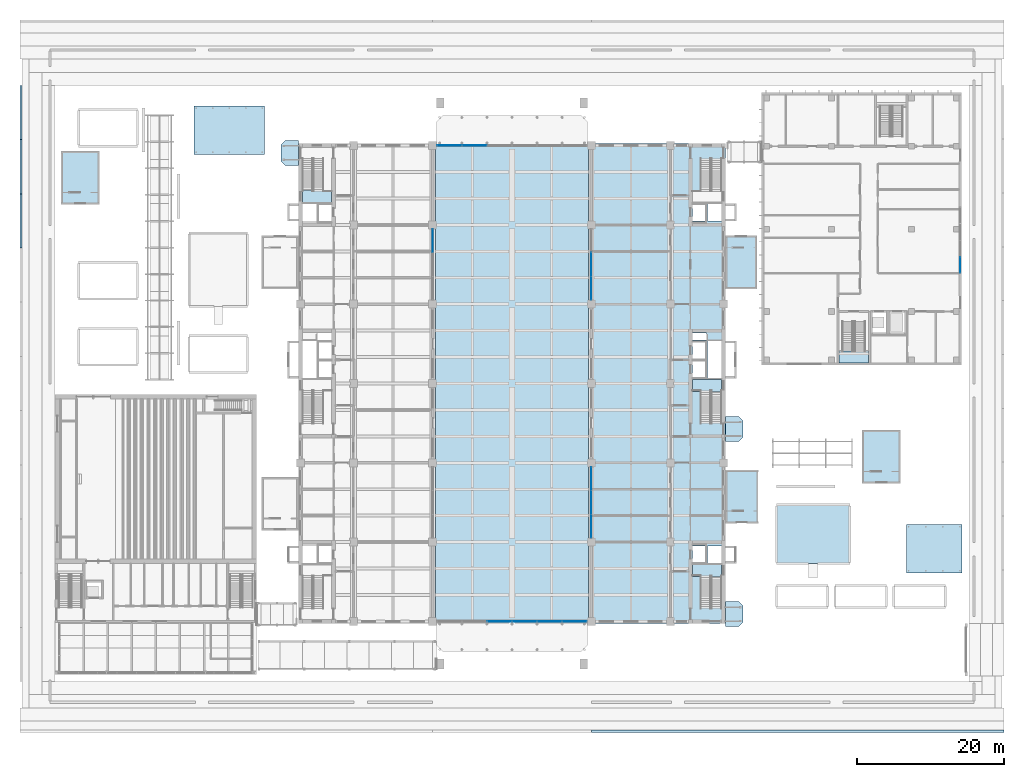
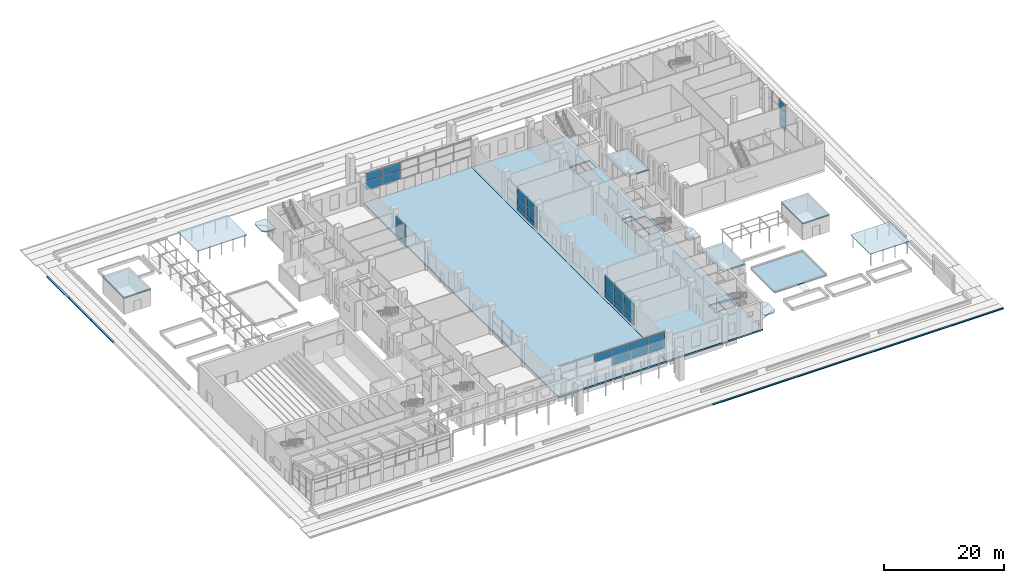
# One storey, part 43 of 71: 32 plates, 20 slabs, 10 elements without a shape of their own.
"""IFC4 building model written with IfcOpenShell, lengths in metres."""

from ifc_helpers import new_model, si_unit, direction, frame, origin, origin_2d, place, context, subcontext, project, spatial, polyline, rectangle, outline, extrude, material, layer, layer_set, type_object, element, aggregate, save


model = new_model("IFC4")

# Units and contexts
model_context = context("Model", 3, precision=1e-05, world=origin(), true_north=direction((0.0, 1.0)))
body_context = subcontext(model_context, "Body", "Model", "MODEL_VIEW")
ifc_project = project(units=[si_unit("LENGTHUNIT", "METRE"), si_unit("AREAUNIT", "SQUARE_METRE"), si_unit("VOLUMEUNIT", "CUBIC_METRE"), si_unit("PLANEANGLEUNIT", "RADIAN"), si_unit("MASSUNIT", "GRAM", prefix="KILO")], contexts=[model_context])

# Site, building, storey
site_placement = place(None, origin())
site = spatial("IfcSite", under=ifc_project, at=site_placement, CompositionType="ELEMENT")
building_placement = place(site_placement, origin())
building = spatial("IfcBuilding", under=site, at=building_placement, Name="Basin Gate Institute", CompositionType="ELEMENT")
storey_placement = place(building_placement, origin())
storey = spatial("IfcBuildingStorey", under=building, at=storey_placement, Name="L00", CompositionType="ELEMENT", Elevation=0.0)

# Curtain wall, plates
ifc_material_1 = material(Name="Aluminium and glass curtain wall", Category="aluminium")
ifc_layer_1 = layer(ifc_material_1, 0.14990234375)
ifc_layer_set_1 = layer_set([ifc_layer_1], Name="Atrium curtain wall CW81")
curtain_wall_type_1 = type_object("IfcCurtainWallType", Name="Atrium curtain wall CW81", PredefinedType="NOTDEFINED", material=ifc_layer_set_1)
curtain_wall_1_placement = place(storey_placement, origin())
curtain_wall_1 = element("IfcCurtainWall", 1, at=curtain_wall_1_placement, inside=storey, type_object=curtain_wall_type_1, material=ifc_layer_set_1, Name="Clean block viewing gallery glazing", PredefinedType="NOTDEFINED")
ifc_material_2 = material(Name="Toughened glass", Category="glass")
ifc_layer_2 = layer(ifc_material_2, 0.028076171875)
ifc_layer_set_2 = layer_set([ifc_layer_2], Name="Atrium glass panel PN81")
plate_type_1 = type_object("IfcPlateType", Name="Atrium glass panel PN81", PredefinedType="CURTAIN_PANEL", material=ifc_layer_set_2)
plate_1_placement = place(storey_placement, frame((151.050048828125, 83.639892578125, 0.06005859375), z_axis=(0.0, 0.0, 1.0), x_axis=(0.0, 1.0, 0.0)))
plate_1 = element("IfcPlate", 2, at=plate_1_placement, type_object=plate_type_1, material=ifc_layer_set_2, Name="CW81 panel 1.1", PredefinedType="CURTAIN_PANEL", context=body_context, shape_type="SweptSolid", body=[
    extrude(rectangle(XDim=2.159912109375, YDim=0.028076171875, at=origin_2d()), origin(), (0.0, 0.0, 1.0), 1.909912109375),
])
plate_2_placement = place(storey_placement, frame((151.050048828125, 83.639892578125, 2.030029296875), z_axis=(0.0, 0.0, 1.0), x_axis=(0.0, 1.0, 0.0)))
plate_2 = element("IfcPlate", 3, at=plate_2_placement, type_object=plate_type_1, material=ifc_layer_set_2, Name="CW81 panel 1.2", PredefinedType="CURTAIN_PANEL", context=body_context, shape_type="SweptSolid", body=[
    extrude(rectangle(XDim=2.159912109375, YDim=0.028076171875, at=origin_2d()), origin(), (0.0, 0.0, 1.0), 1.93994140625),
])
plate_3_placement = place(storey_placement, frame((151.050048828125, 83.639892578125, 4.030029296875), z_axis=(0.0, 0.0, 1.0), x_axis=(0.0, 1.0, 0.0)))
plate_3 = element("IfcPlate", 4, at=plate_3_placement, type_object=plate_type_1, material=ifc_layer_set_2, Name="CW81 panel 1.3", PredefinedType="CURTAIN_PANEL", context=body_context, shape_type="SweptSolid", body=[
    extrude(rectangle(XDim=2.159912109375, YDim=0.028076171875, at=origin_2d()), origin(), (0.0, 0.0, 1.0), 1.4599609375),
])
aggregate(curtain_wall_1, [plate_1, plate_2, plate_3])

curtain_wall_2_placement = place(storey_placement, origin())
curtain_wall_2 = element("IfcCurtainWall", 5, at=curtain_wall_2_placement, inside=storey, type_object=curtain_wall_type_1, material=ifc_layer_set_1, Name="Atrium end screen S L00", PredefinedType="NOTDEFINED")
plate_4_placement = place(storey_placement, frame((88.291748046875, 35.10009765625, 4.43017578125), z_axis=(0.0, 0.0, 1.0), x_axis=(1.0, 0.0, 0.0)))
plate_4 = element("IfcPlate", 6, at=plate_4_placement, type_object=plate_type_1, material=ifc_layer_set_2, Name="CW81 panel 3.2", PredefinedType="CURTAIN_PANEL", context=body_context, shape_type="SweptSolid", body=[
    extrude(rectangle(XDim=3.356689453125, YDim=0.028076171875, at=origin_2d()), origin(), (0.0, 0.0, 1.0), 1.510009765625),
])
plate_5_placement = place(storey_placement, frame((91.708251953125, 35.10009765625, 2.659912109375), z_axis=(0.0, 0.0, 1.0), x_axis=(1.0, 0.0, 0.0)))
plate_5 = element("IfcPlate", 7, at=plate_5_placement, type_object=plate_type_1, material=ifc_layer_set_2, Name="CW81 panel 4.1", PredefinedType="CURTAIN_PANEL", context=body_context, shape_type="SweptSolid", body=[
    extrude(rectangle(XDim=3.356689453125, YDim=0.028076171875, at=origin_2d()), origin(), (0.0, 0.0, 1.0), 1.7099609375),
])
plate_6_placement = place(storey_placement, frame((91.708251953125, 35.10009765625, 4.43017578125), z_axis=(0.0, 0.0, 1.0), x_axis=(1.0, 0.0, 0.0)))
plate_6 = element("IfcPlate", 8, at=plate_6_placement, type_object=plate_type_1, material=ifc_layer_set_2, Name="CW81 panel 4.2", PredefinedType="CURTAIN_PANEL", context=body_context, shape_type="SweptSolid", body=[
    extrude(rectangle(XDim=3.356689453125, YDim=0.028076171875, at=origin_2d()), origin(), (0.0, 0.0, 1.0), 1.510009765625),
])
plate_7_placement = place(storey_placement, frame((95.125, 35.10009765625, 2.659912109375), z_axis=(0.0, 0.0, 1.0), x_axis=(1.0, 0.0, 0.0)))
plate_7 = element("IfcPlate", 9, at=plate_7_placement, type_object=plate_type_1, material=ifc_layer_set_2, Name="CW81 panel 5.1", PredefinedType="CURTAIN_PANEL", context=body_context, shape_type="SweptSolid", body=[
    extrude(rectangle(XDim=3.356689453125, YDim=0.028076171875, at=origin_2d()), origin(), (0.0, 0.0, 1.0), 1.7099609375),
])
plate_8_placement = place(storey_placement, frame((95.125, 35.10009765625, 4.43017578125), z_axis=(0.0, 0.0, 1.0), x_axis=(1.0, 0.0, 0.0)))
plate_8 = element("IfcPlate", 10, at=plate_8_placement, type_object=plate_type_1, material=ifc_layer_set_2, Name="CW81 panel 5.2", PredefinedType="CURTAIN_PANEL", context=body_context, shape_type="SweptSolid", body=[
    extrude(rectangle(XDim=3.356689453125, YDim=0.028076171875, at=origin_2d()), origin(), (0.0, 0.0, 1.0), 1.510009765625),
])
plate_9_placement = place(storey_placement, frame((98.526611328125, 35.10009765625, 2.659912109375), z_axis=(0.0, 0.0, 1.0), x_axis=(1.0, 0.0, 0.0)))
plate_9 = element("IfcPlate", 11, at=plate_9_placement, type_object=plate_type_1, material=ifc_layer_set_2, Name="CW81 panel 6.1", PredefinedType="CURTAIN_PANEL", context=body_context, shape_type="SweptSolid", body=[
    extrude(rectangle(XDim=3.32666015625, YDim=0.028076171875, at=origin_2d()), origin(), (0.0, 0.0, 1.0), 1.7099609375),
])
plate_10_placement = place(storey_placement, frame((98.526611328125, 35.10009765625, 4.43017578125), z_axis=(0.0, 0.0, 1.0), x_axis=(1.0, 0.0, 0.0)))
plate_10 = element("IfcPlate", 12, at=plate_10_placement, type_object=plate_type_1, material=ifc_layer_set_2, Name="CW81 panel 6.2", PredefinedType="CURTAIN_PANEL", context=body_context, shape_type="SweptSolid", body=[
    extrude(rectangle(XDim=3.32666015625, YDim=0.028076171875, at=origin_2d()), origin(), (0.0, 0.0, 1.0), 1.510009765625),
])
aggregate(curtain_wall_2, [plate_4, plate_5, plate_6, plate_7, plate_8, plate_9, plate_10])

curtain_wall_3_placement = place(storey_placement, origin())
curtain_wall_3 = element("IfcCurtainWall", 13, at=curtain_wall_3_placement, inside=storey, type_object=curtain_wall_type_1, material=ifc_layer_set_1, Name="Atrium end screen N L00", PredefinedType="NOTDEFINED")
plate_11_placement = place(storey_placement, frame((81.473388671875, 99.89990234375, 2.659912109375), z_axis=(0.0, 0.0, 1.0), x_axis=(1.0, 0.0, 0.0)))
plate_11 = element("IfcPlate", 14, at=plate_11_placement, type_object=plate_type_1, material=ifc_layer_set_2, Name="CW81 panel 1.1", PredefinedType="CURTAIN_PANEL", context=body_context, shape_type="SweptSolid", body=[
    extrude(rectangle(XDim=3.32666015625, YDim=0.028076171875, at=origin_2d()), origin(), (0.0, 0.0, 1.0), 1.7099609375),
])
plate_12_placement = place(storey_placement, frame((81.473388671875, 99.89990234375, 4.43017578125), z_axis=(0.0, 0.0, 1.0), x_axis=(1.0, 0.0, 0.0)))
plate_12 = element("IfcPlate", 15, at=plate_12_placement, type_object=plate_type_1, material=ifc_layer_set_2, Name="CW81 panel 1.2", PredefinedType="CURTAIN_PANEL", context=body_context, shape_type="SweptSolid", body=[
    extrude(rectangle(XDim=3.32666015625, YDim=0.028076171875, at=origin_2d()), origin(), (0.0, 0.0, 1.0), 1.510009765625),
])
plate_13_placement = place(storey_placement, frame((84.875, 99.89990234375, 2.659912109375), z_axis=(0.0, 0.0, 1.0), x_axis=(1.0, 0.0, 0.0)))
plate_13 = element("IfcPlate", 16, at=plate_13_placement, type_object=plate_type_1, material=ifc_layer_set_2, Name="CW81 panel 2.1", PredefinedType="CURTAIN_PANEL", context=body_context, shape_type="SweptSolid", body=[
    extrude(rectangle(XDim=3.356689453125, YDim=0.028076171875, at=origin_2d()), origin(), (0.0, 0.0, 1.0), 1.7099609375),
])
plate_14_placement = place(storey_placement, frame((84.875, 99.89990234375, 4.43017578125), z_axis=(0.0, 0.0, 1.0), x_axis=(1.0, 0.0, 0.0)))
plate_14 = element("IfcPlate", 17, at=plate_14_placement, type_object=plate_type_1, material=ifc_layer_set_2, Name="CW81 panel 2.2", PredefinedType="CURTAIN_PANEL", context=body_context, shape_type="SweptSolid", body=[
    extrude(rectangle(XDim=3.356689453125, YDim=0.028076171875, at=origin_2d()), origin(), (0.0, 0.0, 1.0), 1.510009765625),
])
aggregate(curtain_wall_3, [plate_11, plate_12, plate_13, plate_14])

# Stair, slab
ifc_material_3 = material(Name="Concrete 40 MPa", Category="concrete")
stair_type_1 = type_object("IfcStairType", Name="Block stair ST", PredefinedType="HALF_TURN_STAIR", material=ifc_material_3)
stair_1_placement = place(storey_placement, origin())
stair_1 = element("IfcStair", 18, at=stair_1_placement, inside=storey, type_object=stair_type_1, material=ifc_material_3, Name="Clean block stair ST-C1 L00", PredefinedType="HALF_TURN_STAIR")
ifc_material_4 = material(Name="Concrete 40 MPa", Category="concrete")
ifc_layer_3 = layer(ifc_material_4, 0.199951171875)
ifc_layer_set_3 = layer_set([ifc_layer_3], Name="Concrete 40 MPa")
slab_type_1 = type_object("IfcSlabType", Name="Block stair landing", PredefinedType="LANDING", material=ifc_layer_set_3)
slab_1_placement = place(storey_placement, frame((0.0, 0.0, 2.800048828125)))
slab_1 = element("IfcSlab", 19, at=slab_1_placement, type_object=slab_type_1, material=ifc_layer_set_3, Name="ST-C1 landing 1", PredefinedType="LANDING", context=body_context, shape_type="SweptSolid", body=[
    extrude(outline(polyline([(134.52490234375, 70.300048828125), (138.574951171875, 70.300048828125), (138.574951171875, 71.93505859375), (134.52490234375, 71.93505859375), (134.52490234375, 70.300048828125)])), origin(), (0.0, 0.0, 1.0), 0.199951171875),
])
aggregate(stair_1, [slab_1])

# Slabs
ifc_material_5 = material(Name="Aluminium canopy roof panel", Category="aluminium")
ifc_layer_4 = layer(ifc_material_5, 0.1201171875)
ifc_layer_set_4 = layer_set([ifc_layer_4], Name="Cycle store roof plate CN4")
slab_type_2 = type_object("IfcSlabType", Name="Cycle store roof plate CN4", PredefinedType="ROOF", material=ifc_layer_set_4)
slab_2_placement = place(storey_placement, frame((0.0, 0.0, 2.39990234375)))
element("IfcSlab", 20, at=slab_2_placement, inside=storey, type_object=slab_type_2, material=ifc_layer_set_4, Name="Laboratory Garden cycle store roof (36 bays)", PredefinedType="ROOF", context=body_context, shape_type="SweptSolid", body=[
    extrude(outline(polyline([(46.699951171875, 98.699951171875), (56.300048828125, 98.699951171875), (56.300048828125, 105.300048828125), (46.699951171875, 105.300048828125), (46.699951171875, 98.699951171875)])), origin(), (0.0, 0.0, 1.0), 0.1201171875),
])
slab_3_placement = place(storey_placement, frame((0.0, 0.0, 2.39990234375)))
element("IfcSlab", 21, at=slab_3_placement, inside=storey, type_object=slab_type_2, material=ifc_layer_set_4, Name="Service Court cycle store roof (24 bays)", PredefinedType="ROOF", context=body_context, shape_type="SweptSolid", body=[
    extrude(outline(polyline([(143.699951171875, 41.699951171875), (151.300048828125, 41.699951171875), (151.300048828125, 48.300048828125), (143.699951171875, 48.300048828125), (143.699951171875, 41.699951171875)])), origin(), (0.0, 0.0, 1.0), 0.1201171875),
])
ifc_material_6 = material(Name="Aluminium canopy roof panel", Category="aluminium")
ifc_layer_5 = layer(ifc_material_6, 0.14990234375)
ifc_layer_set_5 = layer_set([ifc_layer_5], Name="Entrance canopy CN1")
slab_type_3 = type_object("IfcSlabType", Name="Entrance canopy CN1", PredefinedType="ROOF", material=ifc_layer_set_5)
slab_4_placement = place(storey_placement, frame((0.0, 0.0, 2.89990234375)))
element("IfcSlab", 22, at=slab_4_placement, inside=storey, type_object=slab_type_3, material=ifc_layer_set_5, Name="Entrance canopy WN exit", PredefinedType="ROOF", context=body_context, shape_type="SweptSolid", body=[
    extrude(outline(polyline([(60.949951171875, 97.199951171875), (60.949951171875, 100.60009765625), (59.10009765625, 100.60009765625), (58.550048828125, 100.050048828125), (58.550048828125, 97.75), (59.10009765625, 97.199951171875), (60.949951171875, 97.199951171875)])), origin(), (0.0, 0.0, 1.0), 0.150146484375),
])
slab_5_placement = place(storey_placement, frame((0.0, 0.0, 2.89990234375)))
element("IfcSlab", 23, at=slab_5_placement, inside=storey, type_object=slab_type_3, material=ifc_layer_set_5, Name="Entrance canopy ES exit", PredefinedType="ROOF", context=body_context, shape_type="SweptSolid", body=[
    extrude(outline(polyline([(119.050048828125, 34.39990234375), (119.050048828125, 37.800048828125), (120.89990234375, 37.800048828125), (121.449951171875, 37.25), (121.449951171875, 34.949951171875), (120.89990234375, 34.39990234375), (119.050048828125, 34.39990234375)])), origin(), (0.0, 0.0, 1.0), 0.150146484375),
])
slab_6_placement = place(storey_placement, frame((0.0, 0.0, 2.89990234375)))
element("IfcSlab", 24, at=slab_6_placement, inside=storey, type_object=slab_type_3, material=ifc_layer_set_5, Name="Entrance canopy EM exit", PredefinedType="ROOF", context=body_context, shape_type="SweptSolid", body=[
    extrude(outline(polyline([(119.050048828125, 59.60009765625), (119.050048828125, 63.0), (120.89990234375, 63.0), (121.449951171875, 62.449951171875), (121.449951171875, 60.14990234375), (120.89990234375, 59.60009765625), (119.050048828125, 59.60009765625)])), origin(), (0.0, 0.0, 1.0), 0.150146484375),
])
ifc_material_7 = material(Name="Granite kerb 300 x 200", Category="masonry")
ifc_layer_6 = layer(ifc_material_7, 0.199951171875)
ifc_layer_set_6 = layer_set([ifc_layer_6], Name="Granite kerb strip KB1")
slab_type_4 = type_object("IfcSlabType", Name="Granite kerb strip KB1", PredefinedType="FLOOR", material=ifc_layer_set_6)
slab_7_placement = place(storey_placement, frame((0.0, 0.0, -0.199951171875)))
element("IfcSlab", 25, at=slab_7_placement, inside=storey, type_object=slab_type_4, material=ifc_layer_set_6, Name="Granite kerb strip S2", PredefinedType="FLOOR", context=body_context, shape_type="SweptSolid", body=[
    extrude(outline(polyline([(100.800048828125, 20.0), (100.800048828125, 20.300048828125), (157.0, 20.300048828125), (157.0, 20.0), (100.800048828125, 20.0)])), origin(), (0.0, 0.0, 1.0), 0.199951171875),
])
slab_8_placement = place(storey_placement, frame((0.0, 0.0, -0.199951171875)))
element("IfcSlab", 26, at=slab_8_placement, inside=storey, type_object=slab_type_4, material=ifc_layer_set_6, Name="Granite kerb strip W15", PredefinedType="FLOOR", context=body_context, shape_type="SweptSolid", body=[
    extrude(outline(polyline([(23.0, 85.95458984375), (23.0, 93.33642578125), (23.300048828125, 93.33642578125), (23.300048828125, 85.95458984375), (23.0, 85.95458984375)])), origin(), (0.0, 0.0, 1.0), 0.199951171875),
])
slab_9_placement = place(storey_placement, frame((0.0, 0.0, -0.199951171875)))
element("IfcSlab", 27, at=slab_9_placement, inside=storey, type_object=slab_type_4, material=ifc_layer_set_6, Name="Granite kerb strip W16", PredefinedType="FLOOR", context=body_context, shape_type="SweptSolid", body=[
    extrude(outline(polyline([(23.0, 93.33642578125), (23.0, 100.71826171875), (23.300048828125, 100.71826171875), (23.300048828125, 93.33642578125), (23.0, 93.33642578125)])), origin(), (0.0, 0.0, 1.0), 0.199951171875),
])
slab_10_placement = place(storey_placement, frame((0.0, 0.0, -0.199951171875)))
element("IfcSlab", 28, at=slab_10_placement, inside=storey, type_object=slab_type_4, material=ifc_layer_set_6, Name="Granite kerb strip W17", PredefinedType="FLOOR", context=body_context, shape_type="SweptSolid", body=[
    extrude(outline(polyline([(23.0, 100.71826171875), (23.0, 108.10009765625), (23.300048828125, 108.10009765625), (23.300048828125, 100.71826171875), (23.0, 100.71826171875)])), origin(), (0.0, 0.0, 1.0), 0.199951171875),
])
ifc_material_8 = material(Name="Concrete 35 MPa", Category="concrete")
ifc_layer_7 = layer(ifc_material_8, 0.14990234375)
ifc_layer_set_7 = layer_set([ifc_layer_7], Name="Concrete 35 MPa")
slab_type_5 = type_object("IfcSlabType", Name="Rain garden basin slab SL64", PredefinedType="FLOOR", material=ifc_layer_set_7)
slab_11_placement = place(storey_placement, origin())
element("IfcSlab", 29, at=slab_11_placement, inside=storey, type_object=slab_type_5, material=ifc_layer_set_7, Name="Service Court rain garden 1 basin slab", PredefinedType="FLOOR", context=body_context, shape_type="SweptSolid", body=[
    extrude(outline(polyline([(126.0, 43.0), (136.0, 43.0), (136.0, 51.0), (126.0, 51.0), (126.0, 43.0)])), origin(), (0.0, 0.0, 1.0), 0.14990234375),
])
ifc_material_9 = material(Name="Concrete 40 MPa", Category="concrete")
ifc_layer_8 = layer(ifc_material_9, 0.300048828125)
ifc_layer_set_8 = layer_set([ifc_layer_8], Name="Concrete 40 MPa")
slab_type_6 = type_object("IfcSlabType", Name="Slab SL3 R180", PredefinedType="FLOOR", material=ifc_layer_set_8)
slab_12_placement = place(storey_placement, frame((0.0, 0.0, -0.300048828125)))
element("IfcSlab", 30, at=slab_12_placement, inside=storey, type_object=slab_type_6, material=ifc_layer_set_8, Name="SLAB/L00/E", PredefinedType="FLOOR", context=body_context, shape_type="SweptSolid", body=[
    extrude(outline(polyline([(119.050048828125, 100.14990234375), (100.39990234375, 100.14990234375), (100.39990234375, 34.85009765625), (119.050048828125, 34.85009765625), (119.050048828125, 100.14990234375)]), holes=[polyline([(118.550048828125, 45.39990234375), (116.60009765625, 45.39990234375), (116.60009765625, 43.0), (118.550048828125, 43.0), (118.550048828125, 45.39990234375)]), polyline([(118.550048828125, 73.300048828125), (116.60009765625, 73.300048828125), (116.60009765625, 68.199951171875), (118.550048828125, 68.199951171875), (118.550048828125, 73.300048828125)]), polyline([(116.5, 74.39990234375), (114.550048828125, 74.39990234375), (114.550048828125, 73.39990234375), (116.5, 73.39990234375), (116.5, 74.39990234375)]), polyline([(118.550048828125, 92.0), (116.60009765625, 92.0), (116.60009765625, 89.60009765625), (118.550048828125, 89.60009765625), (118.550048828125, 92.0)]), polyline([(116.5, 45.39990234375), (114.550048828125, 45.39990234375), (114.550048828125, 43.0), (116.5, 43.0), (116.5, 45.39990234375)]), polyline([(116.5, 68.199951171875), (114.550048828125, 68.199951171875), (114.550048828125, 73.300048828125), (116.5, 73.300048828125), (116.5, 68.199951171875)]), polyline([(116.5, 92.0), (114.550048828125, 92.0), (114.550048828125, 89.60009765625), (116.5, 89.60009765625), (116.5, 92.0)])]), origin(), (0.0, 0.0, 1.0), 0.300048828125),
])
slab_13_placement = place(storey_placement, frame((0.0, 0.0, -0.300048828125)))
element("IfcSlab", 31, at=slab_13_placement, inside=storey, type_object=slab_type_6, material=ifc_layer_set_8, Name="SLAB/L00/CANYON", PredefinedType="FLOOR", context=body_context, shape_type="SweptSolid", body=[
    extrude(outline(polyline([(79.60009765625, 34.85009765625), (100.39990234375, 34.85009765625), (100.39990234375, 100.14990234375), (79.60009765625, 100.14990234375), (79.60009765625, 34.85009765625)])), origin(), (0.0, 0.0, 1.0), 0.300048828125),
])

# Curtain wall, plates
ifc_material_10 = material(Name="Fire-resistant glazing in steel-free frame", Category="steel")
ifc_layer_9 = layer(ifc_material_10, 0.199951171875)
ifc_layer_set_9 = layer_set([ifc_layer_9], Name="Fire-resistant glazing in steel-free frame")
curtain_wall_type_2 = type_object("IfcCurtainWallType", Name="Atrium rated curtain wall CW3", PredefinedType="NOTDEFINED", material=ifc_layer_set_9)
curtain_wall_4_placement = place(storey_placement, origin())
curtain_wall_4 = element("IfcCurtainWall", 32, at=curtain_wall_4_placement, inside=storey, type_object=curtain_wall_type_2, material=ifc_layer_set_9, Name="Atrium rated curtain wall W wing atrium bay 5 L00", PredefinedType="NOTDEFINED")
ifc_material_11 = material(Name="Fire-resisting board panel")
ifc_layer_10 = layer(ifc_material_11, 0.050048828125)
ifc_layer_set_10 = layer_set([ifc_layer_10], Name="Spandrel panel PN4")
plate_type_2 = type_object("IfcPlateType", Name="Spandrel panel PN4", PredefinedType="CURTAIN_PANEL", material=ifc_layer_set_10)
plate_15_placement = place(storey_placement, frame((79.199951171875, 86.918212890625, 0.06005859375), z_axis=(0.0, 0.0, 1.0), x_axis=(0.0, 1.0, 0.0)))
plate_15 = element("IfcPlate", 33, at=plate_15_placement, type_object=plate_type_2, material=ifc_layer_set_10, Name="CW3 spandrel panel 3.1", PredefinedType="CURTAIN_PANEL", context=body_context, shape_type="SweptSolid", body=[
    extrude(rectangle(XDim=3.143310546875, YDim=0.050048828125, at=origin_2d()), origin(), (0.0, 0.0, 1.0), 0.81005859375),
])
plate_16_placement = place(storey_placement, frame((79.199951171875, 86.918212890625, 2.72998046875), z_axis=(0.0, 0.0, 1.0), x_axis=(0.0, 1.0, 0.0)))
plate_16 = element("IfcPlate", 34, at=plate_16_placement, type_object=plate_type_2, material=ifc_layer_set_10, Name="CW3 spandrel panel 3.3", PredefinedType="CURTAIN_PANEL", context=body_context, shape_type="SweptSolid", body=[
    extrude(rectangle(XDim=3.143310546875, YDim=0.050048828125, at=origin_2d()), origin(), (0.0, 0.0, 1.0), 1.81005859375),
])

curtain_wall_5_placement = place(storey_placement, origin())
curtain_wall_5 = element("IfcCurtainWall", 35, at=curtain_wall_5_placement, inside=storey, type_object=curtain_wall_type_2, material=ifc_layer_set_9, Name="Atrium rated curtain wall E wing atrium bay 2 L00", PredefinedType="NOTDEFINED")
plate_17_placement = place(storey_placement, frame((100.800048828125, 48.081787109375, 0.06005859375), z_axis=(0.0, 0.0, 1.0), x_axis=(0.0, 1.0, 0.0)))
plate_17 = element("IfcPlate", 36, at=plate_17_placement, type_object=plate_type_2, material=ifc_layer_set_10, Name="CW3 spandrel panel 1.1", PredefinedType="CURTAIN_PANEL", context=body_context, shape_type="SweptSolid", body=[
    extrude(rectangle(XDim=3.143310546875, YDim=0.050048828125, at=origin_2d()), origin(), (0.0, 0.0, 1.0), 0.81005859375),
])
plate_18_placement = place(storey_placement, frame((100.800048828125, 48.081787109375, 2.72998046875), z_axis=(0.0, 0.0, 1.0), x_axis=(0.0, 1.0, 0.0)))
plate_18 = element("IfcPlate", 37, at=plate_18_placement, type_object=plate_type_2, material=ifc_layer_set_10, Name="CW3 spandrel panel 1.3", PredefinedType="CURTAIN_PANEL", context=body_context, shape_type="SweptSolid", body=[
    extrude(rectangle(XDim=3.143310546875, YDim=0.050048828125, at=origin_2d()), origin(), (0.0, 0.0, 1.0), 1.81005859375),
])
plate_19_placement = place(storey_placement, frame((100.800048828125, 51.300048828125, 0.06005859375), z_axis=(0.0, 0.0, 1.0), x_axis=(0.0, 1.0, 0.0)))
plate_19 = element("IfcPlate", 38, at=plate_19_placement, type_object=plate_type_2, material=ifc_layer_set_10, Name="CW3 spandrel panel 2.1", PredefinedType="CURTAIN_PANEL", context=body_context, shape_type="SweptSolid", body=[
    extrude(rectangle(XDim=3.17333984375, YDim=0.050048828125, at=origin_2d()), origin(), (0.0, 0.0, 1.0), 0.81005859375),
])
plate_20_placement = place(storey_placement, frame((100.800048828125, 51.300048828125, 2.72998046875), z_axis=(0.0, 0.0, 1.0), x_axis=(0.0, 1.0, 0.0)))
plate_20 = element("IfcPlate", 39, at=plate_20_placement, type_object=plate_type_2, material=ifc_layer_set_10, Name="CW3 spandrel panel 2.3", PredefinedType="CURTAIN_PANEL", context=body_context, shape_type="SweptSolid", body=[
    extrude(rectangle(XDim=3.17333984375, YDim=0.050048828125, at=origin_2d()), origin(), (0.0, 0.0, 1.0), 1.81005859375),
])
plate_21_placement = place(storey_placement, frame((100.800048828125, 54.518310546875, 0.06005859375), z_axis=(0.0, 0.0, 1.0), x_axis=(0.0, 1.0, 0.0)))
plate_21 = element("IfcPlate", 40, at=plate_21_placement, type_object=plate_type_2, material=ifc_layer_set_10, Name="CW3 spandrel panel 3.1", PredefinedType="CURTAIN_PANEL", context=body_context, shape_type="SweptSolid", body=[
    extrude(rectangle(XDim=3.143310546875, YDim=0.050048828125, at=origin_2d()), origin(), (0.0, 0.0, 1.0), 0.81005859375),
])
plate_22_placement = place(storey_placement, frame((100.800048828125, 54.518310546875, 2.72998046875), z_axis=(0.0, 0.0, 1.0), x_axis=(0.0, 1.0, 0.0)))
plate_22 = element("IfcPlate", 41, at=plate_22_placement, type_object=plate_type_2, material=ifc_layer_set_10, Name="CW3 spandrel panel 3.3", PredefinedType="CURTAIN_PANEL", context=body_context, shape_type="SweptSolid", body=[
    extrude(rectangle(XDim=3.143310546875, YDim=0.050048828125, at=origin_2d()), origin(), (0.0, 0.0, 1.0), 1.81005859375),
])

curtain_wall_6_placement = place(storey_placement, origin())
curtain_wall_6 = element("IfcCurtainWall", 42, at=curtain_wall_6_placement, inside=storey, type_object=curtain_wall_type_2, material=ifc_layer_set_9, Name="Atrium rated curtain wall E wing atrium bay 5 L00", PredefinedType="NOTDEFINED")
plate_23_placement = place(storey_placement, frame((100.800048828125, 80.481689453125, 0.06005859375), z_axis=(0.0, 0.0, 1.0), x_axis=(0.0, 1.0, 0.0)))
plate_23 = element("IfcPlate", 43, at=plate_23_placement, type_object=plate_type_2, material=ifc_layer_set_10, Name="CW3 spandrel panel 1.1", PredefinedType="CURTAIN_PANEL", context=body_context, shape_type="SweptSolid", body=[
    extrude(rectangle(XDim=3.143310546875, YDim=0.050048828125, at=origin_2d()), origin(), (0.0, 0.0, 1.0), 0.81005859375),
])
plate_24_placement = place(storey_placement, frame((100.800048828125, 80.481689453125, 2.72998046875), z_axis=(0.0, 0.0, 1.0), x_axis=(0.0, 1.0, 0.0)))
plate_24 = element("IfcPlate", 44, at=plate_24_placement, type_object=plate_type_2, material=ifc_layer_set_10, Name="CW3 spandrel panel 1.3", PredefinedType="CURTAIN_PANEL", context=body_context, shape_type="SweptSolid", body=[
    extrude(rectangle(XDim=3.143310546875, YDim=0.050048828125, at=origin_2d()), origin(), (0.0, 0.0, 1.0), 1.81005859375),
])
plate_25_placement = place(storey_placement, frame((100.800048828125, 83.699951171875, 0.06005859375), z_axis=(0.0, 0.0, 1.0), x_axis=(0.0, 1.0, 0.0)))
plate_25 = element("IfcPlate", 45, at=plate_25_placement, type_object=plate_type_2, material=ifc_layer_set_10, Name="CW3 spandrel panel 2.1", PredefinedType="CURTAIN_PANEL", context=body_context, shape_type="SweptSolid", body=[
    extrude(rectangle(XDim=3.17333984375, YDim=0.050048828125, at=origin_2d()), origin(), (0.0, 0.0, 1.0), 0.81005859375),
])
plate_26_placement = place(storey_placement, frame((100.800048828125, 83.699951171875, 2.72998046875), z_axis=(0.0, 0.0, 1.0), x_axis=(0.0, 1.0, 0.0)))
plate_26 = element("IfcPlate", 46, at=plate_26_placement, type_object=plate_type_2, material=ifc_layer_set_10, Name="CW3 spandrel panel 2.3", PredefinedType="CURTAIN_PANEL", context=body_context, shape_type="SweptSolid", body=[
    extrude(rectangle(XDim=3.17333984375, YDim=0.050048828125, at=origin_2d()), origin(), (0.0, 0.0, 1.0), 1.81005859375),
])

# Slabs
ifc_material_12 = material(Name="Insulated roof deck")
ifc_layer_11 = layer(ifc_material_12, 0.25)
ifc_layer_set_11 = layer_set([ifc_layer_11], Name="Stair head house roof deck")
slab_type_7 = type_object("IfcSlabType", Name="Stair head house roof deck", PredefinedType="ROOF", material=ifc_layer_set_11)
slab_14_placement = place(storey_placement, frame((0.0, 0.0, 3.300048828125)))
element("IfcSlab", 47, at=slab_14_placement, inside=storey, type_object=slab_type_7, material=ifc_layer_set_11, Name="Stair head house BS3 roof", PredefinedType="ROOF", context=body_context, shape_type="SweptSolid", body=[
    extrude(outline(polyline([(119.10009765625, 48.5), (123.5, 48.5), (123.5, 55.699951171875), (119.10009765625, 55.699951171875), (119.10009765625, 48.5)])), origin(), (0.0, 0.0, 1.0), 0.25),
])
slab_15_placement = place(storey_placement, frame((0.0, 0.0, 3.300048828125)))
element("IfcSlab", 48, at=slab_15_placement, inside=storey, type_object=slab_type_7, material=ifc_layer_set_11, Name="Stair head house BS4 roof", PredefinedType="ROOF", context=body_context, shape_type="SweptSolid", body=[
    extrude(outline(polyline([(119.10009765625, 80.39990234375), (123.300048828125, 80.39990234375), (123.300048828125, 87.60009765625), (119.10009765625, 87.60009765625), (119.10009765625, 80.39990234375)])), origin(), (0.0, 0.0, 1.0), 0.25),
])
slab_16_placement = place(storey_placement, frame((0.0, 0.0, 3.300048828125)))
element("IfcSlab", 49, at=slab_16_placement, inside=storey, type_object=slab_type_7, material=ifc_layer_set_11, Name="Stair head house BS5 roof", PredefinedType="ROOF", context=body_context, shape_type="SweptSolid", body=[
    extrude(outline(polyline([(28.60009765625, 91.89990234375), (33.800048828125, 91.89990234375), (33.800048828125, 99.10009765625), (28.60009765625, 99.10009765625), (28.60009765625, 91.89990234375)])), origin(), (0.0, 0.0, 1.0), 0.25),
])
slab_17_placement = place(storey_placement, frame((0.0, 0.0, 3.300048828125)))
element("IfcSlab", 50, at=slab_17_placement, inside=storey, type_object=slab_type_7, material=ifc_layer_set_11, Name="Stair head house BS6 roof", PredefinedType="ROOF", context=body_context, shape_type="SweptSolid", body=[
    extrude(outline(polyline([(137.699951171875, 53.89990234375), (142.89990234375, 53.89990234375), (142.89990234375, 61.10009765625), (137.699951171875, 61.10009765625), (137.699951171875, 53.89990234375)])), origin(), (0.0, 0.0, 1.0), 0.25),
])

# Stair, slab
ifc_material_13 = material(Name="Concrete 40 MPa", Category="concrete")
stair_type_2 = type_object("IfcStairType", Name="Stair ST", PredefinedType="HALF_TURN_STAIR", material=ifc_material_13)
stair_2_placement = place(storey_placement, origin())
stair_2 = element("IfcStair", 51, at=stair_2_placement, inside=storey, type_object=stair_type_2, material=ifc_material_13, Name="Special safe stair ST-WN L00", PredefinedType="HALF_TURN_STAIR")
ifc_material_14 = material(Name="Concrete 40 MPa", Category="concrete")
ifc_layer_12 = layer(ifc_material_14, 0.199951171875)
ifc_layer_set_12 = layer_set([ifc_layer_12], Name="Concrete 40 MPa")
slab_type_8 = type_object("IfcSlabType", Name="Stair landing LN REI 180", PredefinedType="LANDING", material=ifc_layer_set_12)
slab_18_placement = place(storey_placement, frame((0.0, 0.0, 2.800048828125)))
slab_18 = element("IfcSlab", 52, at=slab_18_placement, type_object=slab_type_8, material=ifc_layer_set_12, Name="Stair landing ST-WN-L1 L00", PredefinedType="LANDING", context=body_context, shape_type="SweptSolid", body=[
    extrude(outline(polyline([(61.449951171875, 92.14990234375), (65.449951171875, 92.14990234375), (65.449951171875, 93.7900390625), (61.449951171875, 93.7900390625), (61.449951171875, 92.14990234375)])), origin(), (0.0, 0.0, 1.0), 0.199951171875),
])
aggregate(stair_2, [slab_18])

stair_3_placement = place(storey_placement, origin())
stair_3 = element("IfcStair", 53, at=stair_3_placement, inside=storey, type_object=stair_type_2, material=ifc_material_13, Name="Special safe stair ST-ES L00", PredefinedType="HALF_TURN_STAIR")
slab_19_placement = place(storey_placement, frame((0.0, 0.0, 2.800048828125)))
slab_19 = element("IfcSlab", 54, at=slab_19_placement, type_object=slab_type_8, material=ifc_layer_set_12, Name="Stair landing ST-ES-L1 L00", PredefinedType="LANDING", context=body_context, shape_type="SweptSolid", body=[
    extrude(outline(polyline([(118.550048828125, 42.85009765625), (114.550048828125, 42.85009765625), (114.550048828125, 41.2099609375), (118.550048828125, 41.2099609375), (118.550048828125, 42.85009765625)])), origin(), (0.0, 0.0, 1.0), 0.199951171875),
])
aggregate(stair_3, [slab_19])

stair_4_placement = place(storey_placement, origin())
stair_4 = element("IfcStair", 55, at=stair_4_placement, inside=storey, type_object=stair_type_2, material=ifc_material_13, Name="Special safe stair ST-EM L00", PredefinedType="HALF_TURN_STAIR")
slab_20_placement = place(storey_placement, frame((0.0, 0.0, 2.800048828125)))
slab_20 = element("IfcSlab", 56, at=slab_20_placement, type_object=slab_type_8, material=ifc_layer_set_12, Name="Stair landing ST-EM-L1 L00", PredefinedType="LANDING", context=body_context, shape_type="SweptSolid", body=[
    extrude(outline(polyline([(118.550048828125, 68.050048828125), (114.550048828125, 68.050048828125), (114.550048828125, 66.409912109375), (118.550048828125, 66.409912109375), (118.550048828125, 68.050048828125)])), origin(), (0.0, 0.0, 1.0), 0.199951171875),
])
aggregate(stair_4, [slab_20])

# Plate
ifc_material_15 = material(Name="Fire-resistant glazing", Category="glass")
ifc_layer_13 = layer(ifc_material_15, 0.0400390625)
ifc_layer_set_13 = layer_set([ifc_layer_13], Name="Vision panel PN3")
plate_type_3 = type_object("IfcPlateType", Name="Vision panel PN3", PredefinedType="CURTAIN_PANEL", material=ifc_layer_set_13)
plate_27_placement = place(storey_placement, frame((79.199951171875, 86.918212890625, 0.93017578125), z_axis=(0.0, 0.0, 1.0), x_axis=(0.0, 1.0, 0.0)))
plate_27 = element("IfcPlate", 57, at=plate_27_placement, type_object=plate_type_3, material=ifc_layer_set_13, Name="CW3 vision panel 3.2", PredefinedType="CURTAIN_PANEL", context=body_context, shape_type="SweptSolid", body=[
    extrude(rectangle(XDim=3.143310546875, YDim=0.0400390625, at=origin_2d()), origin(), (0.0, 0.0, 1.0), 1.739990234375),
])

aggregate(curtain_wall_4, [plate_15, plate_27, plate_16])

plate_28_placement = place(storey_placement, frame((100.800048828125, 48.081787109375, 0.93017578125), z_axis=(0.0, 0.0, 1.0), x_axis=(0.0, 1.0, 0.0)))
plate_28 = element("IfcPlate", 58, at=plate_28_placement, type_object=plate_type_3, material=ifc_layer_set_13, Name="CW3 vision panel 1.2", PredefinedType="CURTAIN_PANEL", context=body_context, shape_type="SweptSolid", body=[
    extrude(rectangle(XDim=3.143310546875, YDim=0.0400390625, at=origin_2d()), origin(), (0.0, 0.0, 1.0), 1.739990234375),
])

plate_29_placement = place(storey_placement, frame((100.800048828125, 51.300048828125, 0.93017578125), z_axis=(0.0, 0.0, 1.0), x_axis=(0.0, 1.0, 0.0)))
plate_29 = element("IfcPlate", 59, at=plate_29_placement, type_object=plate_type_3, material=ifc_layer_set_13, Name="CW3 vision panel 2.2", PredefinedType="CURTAIN_PANEL", context=body_context, shape_type="SweptSolid", body=[
    extrude(rectangle(XDim=3.17333984375, YDim=0.0400390625, at=origin_2d()), origin(), (0.0, 0.0, 1.0), 1.739990234375),
])

plate_30_placement = place(storey_placement, frame((100.800048828125, 54.518310546875, 0.93017578125), z_axis=(0.0, 0.0, 1.0), x_axis=(0.0, 1.0, 0.0)))
plate_30 = element("IfcPlate", 60, at=plate_30_placement, type_object=plate_type_3, material=ifc_layer_set_13, Name="CW3 vision panel 3.2", PredefinedType="CURTAIN_PANEL", context=body_context, shape_type="SweptSolid", body=[
    extrude(rectangle(XDim=3.143310546875, YDim=0.0400390625, at=origin_2d()), origin(), (0.0, 0.0, 1.0), 1.739990234375),
])

aggregate(curtain_wall_5, [plate_17, plate_28, plate_18, plate_19, plate_29, plate_20, plate_21, plate_30, plate_22])

plate_31_placement = place(storey_placement, frame((100.800048828125, 80.481689453125, 0.93017578125), z_axis=(0.0, 0.0, 1.0), x_axis=(0.0, 1.0, 0.0)))
plate_31 = element("IfcPlate", 61, at=plate_31_placement, type_object=plate_type_3, material=ifc_layer_set_13, Name="CW3 vision panel 1.2", PredefinedType="CURTAIN_PANEL", context=body_context, shape_type="SweptSolid", body=[
    extrude(rectangle(XDim=3.143310546875, YDim=0.0400390625, at=origin_2d()), origin(), (0.0, 0.0, 1.0), 1.739990234375),
])

plate_32_placement = place(storey_placement, frame((100.800048828125, 83.699951171875, 0.93017578125), z_axis=(0.0, 0.0, 1.0), x_axis=(0.0, 1.0, 0.0)))
plate_32 = element("IfcPlate", 62, at=plate_32_placement, type_object=plate_type_3, material=ifc_layer_set_13, Name="CW3 vision panel 2.2", PredefinedType="CURTAIN_PANEL", context=body_context, shape_type="SweptSolid", body=[
    extrude(rectangle(XDim=3.17333984375, YDim=0.0400390625, at=origin_2d()), origin(), (0.0, 0.0, 1.0), 1.739990234375),
])

aggregate(curtain_wall_6, [plate_23, plate_31, plate_24, plate_25, plate_32, plate_26])

save(model, "model.ifc")
